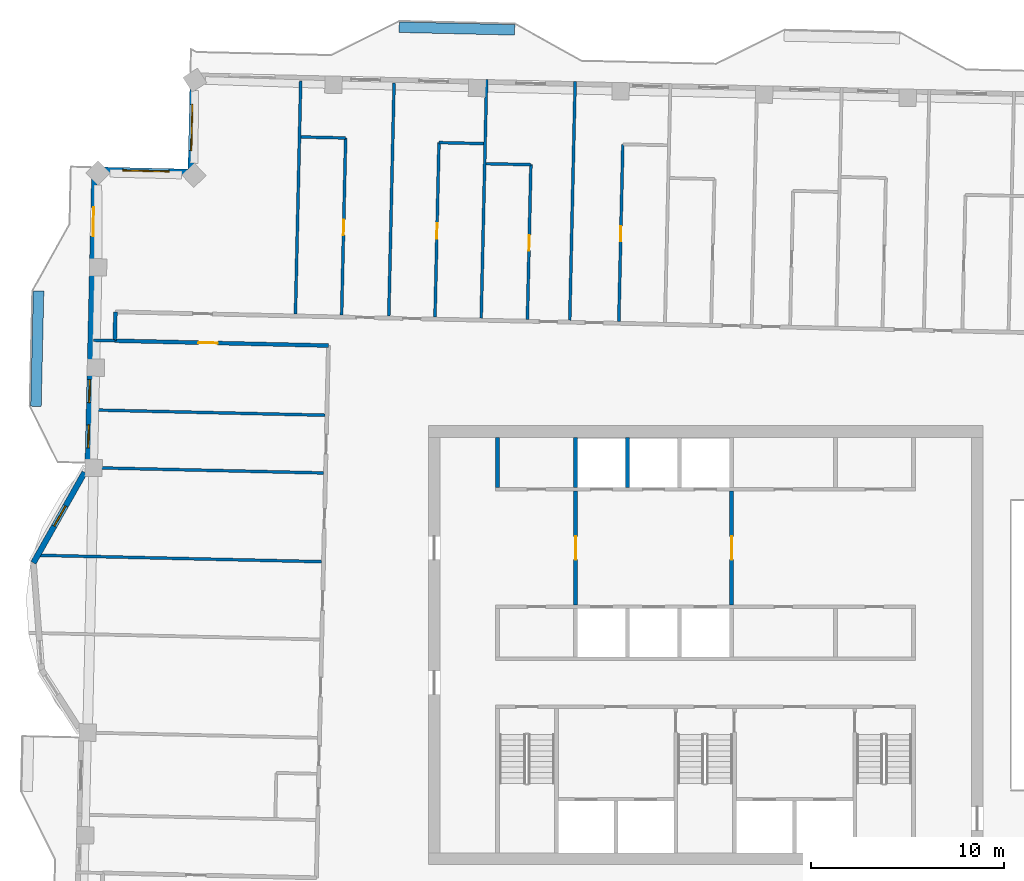
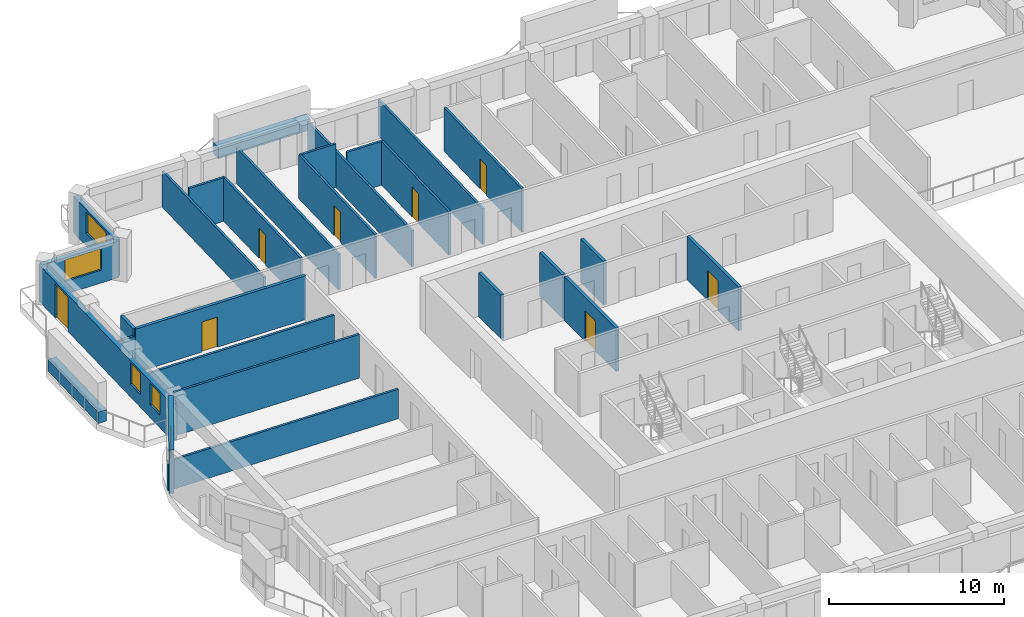
# One storey, part 8 of 15: 28 walls, 8 doors, 5 windows, 13 openings.
"""IFC4 building model written with IfcOpenShell, lengths in metres."""

from ifc_helpers import new_model, si_unit, direction, frame, frame_2d, origin, place, context, subcontext, project, spatial, rectangle, extrude, material, layer, layer_set, type_object, element, fill, save


model = new_model("IFC4")

# Units and contexts
model_context = context("Model", 3, precision=1e-05, world=origin(), true_north=direction((0.0, 1.0)))
body_context = subcontext(model_context, "Body", "Model", "MODEL_VIEW")
ifc_project = project(units=[si_unit("LENGTHUNIT", "METRE"), si_unit("AREAUNIT", "SQUARE_METRE"), si_unit("VOLUMEUNIT", "CUBIC_METRE"), si_unit("PLANEANGLEUNIT", "RADIAN"), si_unit("MASSUNIT", "GRAM", prefix="KILO")], contexts=[model_context])

# Site, building, storey
site_placement = place(None, origin())
site = spatial("IfcSite", under=ifc_project, at=site_placement, CompositionType="ELEMENT")
building_placement = place(site_placement, origin())
building = spatial("IfcBuilding", under=site, at=building_placement, Name="Mangrove Gate Tower", CompositionType="ELEMENT")
storey_placement = place(building_placement, frame((0.0, 0.0, 313.300048828125)))
storey = spatial("IfcBuildingStorey", under=building, at=storey_placement, Name="L80", CompositionType="ELEMENT", Elevation=313.300048828125)

# Wall, opening, door
ifc_material_1 = material(Name="Concrete C32/40", Category="concrete")
ifc_layer_1 = layer(ifc_material_1, 0.199951171875)
ifc_layer_set_1 = layer_set([ifc_layer_1], Name="Core lobby wall 200 C32/40")
wall_type_1 = type_object("IfcWallType", Name="Core lobby wall 200 C32/40", PredefinedType="STANDARD", material=ifc_layer_set_1)
wall_1_placement = place(storey_placement, frame((-6.75, 2.10009765625, 0.0), z_axis=(0.0, 0.0, 1.0), x_axis=(0.0, 1.0, 0.0)))
wall_1 = element("IfcWall", 1, at=wall_1_placement, inside=storey, type_object=wall_type_1, Name="WALL-L80-CORE-33", PredefinedType="STANDARD", context=body_context, shape_type="SweptSolid", body=[
    extrude(rectangle(XDim=5.89990234375, YDim=0.199951171875, at=frame_2d((2.949951171875, 0.0))), origin(), (0.0, 0.0, 1.0), 3.050048828125),
])
opening_1_placement = place(wall_1_placement, frame((2.35009765625, 0.0, 0.0)))
opening_1 = element("IfcOpeningElement", 2, at=opening_1_placement, cuts=wall_1, Name="Opening FL12", PredefinedType="OPENING", context=body_context, shape_type="SweptSolid", body=[
    extrude(rectangle(XDim=1.199951171875, YDim=2.10009765625, at=frame_2d((0.60009765625, 1.050048828125))), frame((0.0, 0.10986328125, 0.0), z_axis=(0.0, -1.0, 0.0), x_axis=(1.0, 0.0, 0.0)), (0.0, 0.0, 1.0), 0.219970703125),
])
ifc_material_2 = material(Name="Fire-rated steel door set", Category="steel")
door_type_1 = type_object("IfcDoorType", Name="Lobby door FD60 1200x2100", OperationType="SINGLE_SWING_LEFT", PredefinedType="DOOR", material=ifc_material_2)
door_1_placement = place(opening_1_placement, origin())
door_1 = element("IfcDoor", 3, at=door_1_placement, inside=storey, type_object=door_type_1, Name="Lobby door lift lobby partition", OperationType="SINGLE_SWING_LEFT", OverallHeight=2.10009765625, OverallWidth=1.199951171875, PredefinedType="DOOR", context=body_context, shape_type="SweptSolid", body=[
    extrude(rectangle(XDim=1.199951171875, YDim=2.10009765625, at=frame_2d((0.60009765625, 1.050048828125))), frame((0.0, 0.02490234375, 0.0), z_axis=(0.0, -1.0, 0.0), x_axis=(1.0, 0.0, 0.0)), (0.0, 0.0, 1.0), 0.050048828125),
])
fill(opening_1, door_1)

wall_2_placement = place(storey_placement, frame((1.35009765625, 2.10009765625, 0.0), z_axis=(0.0, 0.0, 1.0), x_axis=(0.0, 1.0, 0.0)))
wall_2 = element("IfcWall", 4, at=wall_2_placement, inside=storey, type_object=wall_type_1, Name="WALL-L80-CORE-34", PredefinedType="STANDARD", context=body_context, shape_type="SweptSolid", body=[
    extrude(rectangle(XDim=5.89990234375, YDim=0.199951171875, at=frame_2d((2.949951171875, 0.0))), origin(), (0.0, 0.0, 1.0), 3.050048828125),
])
opening_2_placement = place(wall_2_placement, frame((2.35009765625, 0.0, 0.0)))
opening_2 = element("IfcOpeningElement", 5, at=opening_2_placement, cuts=wall_2, Name="Opening FL12", PredefinedType="OPENING", context=body_context, shape_type="SweptSolid", body=[
    extrude(rectangle(XDim=1.199951171875, YDim=2.10009765625, at=frame_2d((0.60009765625, 1.050048828125))), frame((0.0, 0.10986328125, 0.0), z_axis=(0.0, -1.0, 0.0), x_axis=(1.0, 0.0, 0.0)), (0.0, 0.0, 1.0), 0.219970703125),
])
door_2_placement = place(opening_2_placement, origin())
door_2 = element("IfcDoor", 6, at=door_2_placement, inside=storey, type_object=door_type_1, Name="Lobby door lift lobby partition", OperationType="SINGLE_SWING_LEFT", OverallHeight=2.10009765625, OverallWidth=1.199951171875, PredefinedType="DOOR", context=body_context, shape_type="SweptSolid", body=[
    extrude(rectangle(XDim=1.199951171875, YDim=2.10009765625, at=frame_2d((0.60009765625, 1.050048828125))), frame((0.0, 0.02490234375, 0.0), z_axis=(0.0, -1.0, 0.0), x_axis=(1.0, 0.0, 0.0)), (0.0, 0.0, 1.0), 0.050048828125),
])
fill(opening_2, door_2)

# Walls
ifc_material_3 = material(Name="Concrete C32/40", Category="concrete")
ifc_layer_2 = layer(ifc_material_3, 0.199951171875)
ifc_layer_set_2 = layer_set([ifc_layer_2], Name="Core room wall 200 C32/40")
wall_type_2 = type_object("IfcWallType", Name="Core room wall 200 C32/40", PredefinedType="STANDARD", material=ifc_layer_set_2)
wall_3_placement = place(storey_placement, frame((-10.800048828125, 8.199951171875, 0.0), z_axis=(0.0, 0.0, 1.0), x_axis=(0.0, 1.0, 0.0)))
element("IfcWall", 7, at=wall_3_placement, inside=storey, type_object=wall_type_2, Name="WALL-L80-CORE-26", PredefinedType="STANDARD", context=body_context, shape_type="SweptSolid", body=[
    extrude(rectangle(XDim=2.60009765625, YDim=0.199951171875, at=frame_2d((1.300048828125, 0.0))), origin(), (0.0, 0.0, 1.0), 3.050048828125),
])
ifc_material_4 = material(Name="Concrete C50/60", Category="concrete")
ifc_layer_3 = layer(ifc_material_4, 0.199951171875)
ifc_layer_set_3 = layer_set([ifc_layer_3], Name="Core shaft wall 200 C50/60")
wall_type_3 = type_object("IfcWallType", Name="Core shaft wall 200 C50/60", PredefinedType="SHEAR", material=ifc_layer_set_3)
for number, where, z_axis, x_axis, name in (
    (8, (-6.75, 8.199951171875, 0.0), (0.0, 0.0, 1.0), (0.0, 1.0, 0.0), "WALL-L80-CORE-27"),
    (9, (-4.050048828125, 8.199951171875, 0.0), (0.0, 0.0, 1.0), (0.0, 1.0, 0.0), "WALL-L80-CORE-28"),
):
    element("IfcWall", number, at=place(storey_placement, frame(where, z_axis=z_axis, x_axis=x_axis)), inside=storey, type_object=wall_type_3, Name=name, PredefinedType="SHEAR", context=body_context, shape_type="SweptSolid", body=[
        extrude(rectangle(XDim=2.60009765625, YDim=0.199951171875, at=frame_2d((1.300048828125, 0.0))), origin(), (0.0, 0.0, 1.0), 3.050048828125),
    ])

# Wall, opening, door
ifc_material_5 = material(Name="Gypsum board on steel stud, EI 60", Category="steel")
ifc_layer_4 = layer(ifc_material_5, 0.199951171875)
ifc_layer_set_4 = layer_set([ifc_layer_4], Name="Corridor wall EI 60")
wall_type_4 = type_object("IfcWallType", Name="Corridor wall EI 60", PredefinedType="PARTITIONING", material=ifc_layer_set_4)
wall_4_placement = place(storey_placement, frame((-30.68603515625, 15.81396484375, 0.0), z_axis=(0.0, 0.0, 1.0), x_axis=(0.999742346277, -0.022698921993, 0.0)))
wall_4 = element("IfcWall", 10, at=wall_4_placement, inside=storey, type_object=wall_type_4, Name="WALL-L80-053", PredefinedType="PARTITIONING", context=body_context, shape_type="SweptSolid", body=[
    extrude(rectangle(XDim=11.099853515625, YDim=0.199951171875, at=frame_2d((5.5498046875, 0.0))), origin(), (0.0, 0.0, 1.0), 3.050048828125),
])
opening_3_placement = place(wall_4_placement, frame((4.35009765625, 0.0, 0.0)))
opening_3 = element("IfcOpeningElement", 11, at=opening_3_placement, cuts=wall_4, Name="Opening AD", PredefinedType="OPENING", context=body_context, shape_type="SweptSolid", body=[
    extrude(rectangle(XDim=1.0, YDim=2.10009765625, at=frame_2d((0.5, 1.050048828125))), frame((0.0, 0.10986328125, 0.0), z_axis=(0.0, -1.0, 0.0), x_axis=(1.0, 0.0, 0.0)), (0.0, 0.0, 1.0), 0.219970703125),
])
ifc_material_6 = material(Name="Timber door leaf", Category="wood")
door_type_2 = type_object("IfcDoorType", Name="Amenity door 1000", OperationType="SINGLE_SWING_LEFT", PredefinedType="DOOR", material=ifc_material_6)
door_3_placement = place(opening_3_placement, origin())
door_3 = element("IfcDoor", 12, at=door_3_placement, inside=storey, type_object=door_type_2, Name="DOOR-L80-KIT-c5b", OperationType="SINGLE_SWING_LEFT", OverallHeight=2.10009765625, OverallWidth=1.0, PredefinedType="DOOR", context=body_context, shape_type="SweptSolid", body=[
    extrude(rectangle(XDim=1.0, YDim=2.10009765625, at=frame_2d((0.5, 1.050048828125))), frame((0.0, 0.02490234375, 0.0), z_axis=(0.0, -1.0, 0.0), x_axis=(1.0, 0.0, 0.0)), (0.0, 0.0, 1.0), 0.050048828125),
])
fill(opening_3, door_3)

# Wall
wall_5_placement = place(storey_placement, frame((-30.68603515625, 15.81396484375, 0.0), z_axis=(0.0, 0.0, 1.0), x_axis=(0.022632637625, 0.99974384905, 0.0)))
element("IfcWall", 13, at=wall_5_placement, inside=storey, type_object=wall_type_4, Name="WALL-L80-054", PredefinedType="PARTITIONING", context=body_context, shape_type="SweptSolid", body=[
    extrude(rectangle(XDim=1.49951171875, YDim=0.199951171875, at=frame_2d((0.749755859375, 0.0))), origin(), (0.0, 0.0, 1.0), 3.050048828125),
])

# Wall, opening, window
ifc_material_7 = material(Name="Limestone", Category="masonry")
ifc_layer_5 = layer(ifc_material_7, 0.0400390625, Name="Limestone cladding")
ifc_material_8 = material(Name="Ventilated air gap")
ifc_layer_6 = layer(ifc_material_8, 0.0400390625, Name="Ventilated cavity")
ifc_material_9 = material(Name="Mineral wool insulation")
ifc_layer_7 = layer(ifc_material_9, 0.06005859375, Name="Insulation")
ifc_material_10 = material(Name="Breather membrane")
ifc_layer_8 = layer(ifc_material_10, 0.001953125, Name="Breather membrane")
ifc_material_11 = material(Name="Concrete C20/25 blockwork", Category="masonry")
ifc_layer_9 = layer(ifc_material_11, 0.14990234375, Name="Blockwork backing wall")
ifc_material_12 = material(Name="Gypsum plaster")
ifc_layer_10 = layer(ifc_material_12, 0.008056640625, Name="Internal plaster")
ifc_layer_set_5 = layer_set([ifc_layer_5, ifc_layer_6, ifc_layer_7, ifc_layer_8, ifc_layer_9, ifc_layer_10], Name="External wall 300 limestone cladding")
wall_type_5 = type_object("IfcWallType", Name="External wall 300 limestone cladding", PredefinedType="SOLIDWALL", material=ifc_layer_set_5)
wall_6_placement = place(storey_placement, frame((-26.623046875, 29.574951171875, 0.0), z_axis=(0.0, 0.0, 1.0), x_axis=(-0.022606059803, -0.999744450377, 0.0)))
wall_6 = element("IfcWall", 14, at=wall_6_placement, inside=storey, type_object=wall_type_5, Name="WALL-L80-W6", PredefinedType="SOLIDWALL", context=body_context, shape_type="SweptSolid", body=[
    extrude(rectangle(XDim=5.000244140625, YDim=0.300048828125, at=frame_2d((2.5, 0.0))), origin(), (0.0, 0.0, 1.0), 2.550048828125),
])
opening_4_placement = place(wall_6_placement, frame((1.489990234375, 0.0, 0.89990234375)))
opening_4 = element("IfcOpeningElement", 15, at=opening_4_placement, cuts=wall_6, Name="Opening W2", PredefinedType="OPENING", context=body_context, shape_type="SweptSolid", body=[
    extrude(rectangle(XDim=2.39990234375, YDim=1.5, at=frame_2d((1.199951171875, 0.75))), frame((0.0, 0.159912109375, 0.0), z_axis=(0.0, -1.0, 0.0), x_axis=(1.0, 0.0, 0.0)), (0.0, 0.0, 1.0), 0.320068359375),
])
ifc_material_13 = material(Name="Aluminium frame with double-glazed low-e glass", Category="aluminium")
window_type_1 = type_object("IfcWindowType", Name="Corner room window 2400x1500", PartitioningType="DOUBLE_PANEL_VERTICAL", PredefinedType="WINDOW", material=ifc_material_13)
window_1_placement = place(opening_4_placement, origin())
window_1 = element("IfcWindow", 16, at=window_1_placement, inside=storey, type_object=window_type_1, Name="WIN-L80-W6-1", OverallHeight=1.5, OverallWidth=2.39990234375, PartitioningType="DOUBLE_PANEL_VERTICAL", PredefinedType="WINDOW", context=body_context, shape_type="SweptSolid", body=[
    extrude(rectangle(XDim=2.39990234375, YDim=1.5, at=frame_2d((1.199951171875, 0.75))), frame((0.0, 0.030029296875, 0.0), z_axis=(0.0, -1.0, 0.0), x_axis=(1.0, 0.0, 0.0)), (0.0, 0.0, 1.0), 0.06005859375),
])
fill(opening_4, window_1)

wall_7_placement = place(storey_placement, frame((-26.736083984375, 24.575927734375, 0.0), z_axis=(0.0, 0.0, 1.0), x_axis=(-0.999740017489, 0.022801259434, 0.0)))
wall_7 = element("IfcWall", 17, at=wall_7_placement, inside=storey, type_object=wall_type_5, Name="WALL-L80-N7", PredefinedType="SOLIDWALL", context=body_context, shape_type="SweptSolid", body=[
    extrude(rectangle(XDim=5.000244140625, YDim=0.300048828125, at=frame_2d((2.5, 0.0))), origin(), (0.0, 0.0, 1.0), 2.550048828125),
])
opening_5_placement = place(wall_7_placement, frame((1.12890625, 0.0, 0.89990234375)))
opening_5 = element("IfcOpeningElement", 18, at=opening_5_placement, cuts=wall_7, Name="Opening W2", PredefinedType="OPENING", context=body_context, shape_type="SweptSolid", body=[
    extrude(rectangle(XDim=2.39990234375, YDim=1.5, at=frame_2d((1.199951171875, 0.75))), frame((0.0, 0.159912109375, 0.0), z_axis=(0.0, -1.0, 0.0), x_axis=(1.0, 0.0, 0.0)), (0.0, 0.0, 1.0), 0.320068359375),
])
window_2_placement = place(opening_5_placement, origin())
window_2 = element("IfcWindow", 19, at=window_2_placement, inside=storey, type_object=window_type_1, Name="WIN-L80-N7-1", OverallHeight=1.5, OverallWidth=2.39990234375, PartitioningType="DOUBLE_PANEL_VERTICAL", PredefinedType="WINDOW", context=body_context, shape_type="SweptSolid", body=[
    extrude(rectangle(XDim=2.39990234375, YDim=1.5, at=frame_2d((1.199951171875, 0.75))), frame((0.0, 0.030029296875, 0.0), z_axis=(0.0, -1.0, 0.0), x_axis=(1.0, 0.0, 0.0)), (0.0, 0.0, 1.0), 0.06005859375),
])
fill(opening_5, window_2)

# Wall, openings, door, windows
wall_8_placement = place(storey_placement, frame((-31.735107421875, 24.68994140625, 0.0), z_axis=(0.0, 0.0, 1.0), x_axis=(-0.022694199758, -0.999742453484, 0.0)))
wall_8 = element("IfcWall", 20, at=wall_8_placement, inside=storey, type_object=wall_type_5, Name="WALL-L80-W8s1", PredefinedType="SOLIDWALL", context=body_context, shape_type="SweptSolid", body=[
    extrude(rectangle(XDim=15.900146484375, YDim=0.300048828125, at=frame_2d((7.9501953125, 0.0))), origin(), (0.0, 0.0, 1.0), 2.550048828125),
])
opening_6_placement = place(wall_8_placement, frame((1.952880859375, 0.0, 0.0)))
opening_6 = element("IfcOpeningElement", 21, at=opening_6_placement, cuts=wall_8, Name="Opening BD1", PredefinedType="OPENING", context=body_context, shape_type="SweptSolid", body=[
    extrude(rectangle(XDim=1.5, YDim=2.39990234375, at=frame_2d((0.75, 1.199951171875))), frame((0.0, 0.159912109375, 0.0), z_axis=(0.0, -1.0, 0.0), x_axis=(1.0, 0.0, 0.0)), (0.0, 0.0, 1.0), 0.320068359375),
])
opening_7_placement = place(wall_8_placement, frame((10.89599609375, 0.0, 0.89990234375)))
opening_7 = element("IfcOpeningElement", 22, at=opening_7_placement, cuts=wall_8, Name="Opening W1", PredefinedType="OPENING", context=body_context, shape_type="SweptSolid", body=[
    extrude(rectangle(XDim=1.199951171875, YDim=1.5, at=frame_2d((0.60009765625, 0.75))), frame((0.0, 0.159912109375, 0.0), z_axis=(0.0, -1.0, 0.0), x_axis=(1.0, 0.0, 0.0)), (0.0, 0.0, 1.0), 0.320068359375),
])
opening_8_placement = place(wall_8_placement, frame((13.25, 0.0, 0.89990234375)))
opening_8 = element("IfcOpeningElement", 23, at=opening_8_placement, cuts=wall_8, Name="Opening W1", PredefinedType="OPENING", context=body_context, shape_type="SweptSolid", body=[
    extrude(rectangle(XDim=1.199951171875, YDim=1.5, at=frame_2d((0.60009765625, 0.75))), frame((0.0, 0.159912109375, 0.0), z_axis=(0.0, -1.0, 0.0), x_axis=(1.0, 0.0, 0.0)), (0.0, 0.0, 1.0), 0.320068359375),
])
ifc_material_14 = material(Name="Aluminium frame with laminated clear glass", Category="aluminium")
door_type_3 = type_object("IfcDoorType", Name="Balcony sliding door 1500x2400", OperationType="SLIDING_TO_LEFT", PredefinedType="DOOR", material=ifc_material_14)
door_4_placement = place(opening_6_placement, origin())
door_4 = element("IfcDoor", 24, at=door_4_placement, inside=storey, type_object=door_type_3, Name="DOOR-L80-W8-1", OperationType="SLIDING_TO_LEFT", OverallHeight=2.39990234375, OverallWidth=1.5, PredefinedType="DOOR", context=body_context, shape_type="SweptSolid", body=[
    extrude(rectangle(XDim=1.5, YDim=2.39990234375, at=frame_2d((0.75, 1.199951171875))), frame((0.0, 0.02490234375, 0.0), z_axis=(0.0, -1.0, 0.0), x_axis=(1.0, 0.0, 0.0)), (0.0, 0.0, 1.0), 0.050048828125),
])
fill(opening_6, door_4)
ifc_material_15 = material(Name="Aluminium frame with double-glazed low-e glass", Category="aluminium")
window_type_2 = type_object("IfcWindowType", Name="Side lite 1200x1500", PartitioningType="SINGLE_PANEL", PredefinedType="WINDOW", material=ifc_material_15)
window_3_placement = place(opening_7_placement, origin())
window_3 = element("IfcWindow", 25, at=window_3_placement, inside=storey, type_object=window_type_2, Name="WIN-L80-W8-2", OverallHeight=1.5, OverallWidth=1.199951171875, PartitioningType="SINGLE_PANEL", PredefinedType="WINDOW", context=body_context, shape_type="SweptSolid", body=[
    extrude(rectangle(XDim=1.199951171875, YDim=1.5, at=frame_2d((0.60009765625, 0.75))), frame((0.0, 0.030029296875, 0.0), z_axis=(0.0, -1.0, 0.0), x_axis=(1.0, 0.0, 0.0)), (0.0, 0.0, 1.0), 0.06005859375),
])
fill(opening_7, window_3)
window_4_placement = place(opening_8_placement, origin())
window_4 = element("IfcWindow", 26, at=window_4_placement, inside=storey, type_object=window_type_2, Name="WIN-L80-W8-3", OverallHeight=1.5, OverallWidth=1.199951171875, PartitioningType="SINGLE_PANEL", PredefinedType="WINDOW", context=body_context, shape_type="SweptSolid", body=[
    extrude(rectangle(XDim=1.199951171875, YDim=1.5, at=frame_2d((0.60009765625, 0.75))), frame((0.0, 0.030029296875, 0.0), z_axis=(0.0, -1.0, 0.0), x_axis=(1.0, 0.0, 0.0)), (0.0, 0.0, 1.0), 0.06005859375),
])
fill(opening_8, window_4)

# Wall, opening, window
wall_9_placement = place(storey_placement, frame((-32.251953125, 8.97802734375, 0.0), z_axis=(0.0, 0.0, 1.0), x_axis=(-0.492554919955, -0.870281363025, 0.0)))
wall_9 = element("IfcWall", 27, at=wall_9_placement, inside=storey, type_object=wall_type_5, Name="WALL-L80-W9f1", PredefinedType="SOLIDWALL", context=body_context, shape_type="SweptSolid", body=[
    extrude(rectangle(XDim=5.398193359375, YDim=0.300048828125, at=frame_2d((2.69921875, 0.0))), origin(), (0.0, 0.0, 1.0), 3.050048828125),
])
opening_9_placement = place(wall_9_placement, frame((2.008056640625, 0.0, 0.89990234375)))
opening_9 = element("IfcOpeningElement", 28, at=opening_9_placement, cuts=wall_9, Name="Opening W1", PredefinedType="OPENING", context=body_context, shape_type="SweptSolid", body=[
    extrude(rectangle(XDim=1.199951171875, YDim=1.5, at=frame_2d((0.60009765625, 0.75))), frame((0.0, 0.159912109375, 0.0), z_axis=(0.0, -1.0, 0.0), x_axis=(1.0, 0.0, 0.0)), (0.0, 0.0, 1.0), 0.320068359375),
])
window_5_placement = place(opening_9_placement, origin())
window_5 = element("IfcWindow", 29, at=window_5_placement, inside=storey, type_object=window_type_2, Name="WIN-L80-W9f1", OverallHeight=1.5, OverallWidth=1.199951171875, PartitioningType="SINGLE_PANEL", PredefinedType="WINDOW", context=body_context, shape_type="SweptSolid", body=[
    extrude(rectangle(XDim=1.199951171875, YDim=1.5, at=frame_2d((0.60009765625, 0.75))), frame((0.0, 0.030029296875, 0.0), z_axis=(0.0, -1.0, 0.0), x_axis=(1.0, 0.0, 0.0)), (0.0, 0.0, 1.0), 0.06005859375),
])
fill(opening_9, window_5)

# Walls
ifc_material_16 = material(Name="Gypsum board on steel stud, EI 60", Category="steel")
ifc_layer_11 = layer(ifc_material_16, 0.14990234375)
ifc_layer_set_6 = layer_set([ifc_layer_11], Name="Party wall 150 EI 60")
wall_type_6 = type_object("IfcWallType", Name="Party wall 150 EI 60", PredefinedType="PARTITIONING", material=ifc_layer_set_6)
wall_10_placement = place(storey_placement, frame((-34.93408203125, 4.677001953125, 0.0), z_axis=(0.0, 0.0, 1.0), x_axis=(0.99974273422, -0.022681829163, 0.0)))
element("IfcWall", 30, at=wall_10_placement, inside=storey, type_object=wall_type_6, Name="WALL-L80-048", PredefinedType="PARTITIONING", context=body_context, shape_type="SweptSolid", body=[
    extrude(rectangle(XDim=14.993896484375, YDim=0.14990234375, at=frame_2d((7.4970703125, 0.0))), origin(), (0.0, 0.0, 1.0), 2.050048828125),
])
wall_11_placement = place(storey_placement, frame((-31.93603515625, 9.219970703125, 0.0), z_axis=(0.0, 0.0, 1.0), x_axis=(0.9997437175, -0.02263844782, 0.0)))
element("IfcWall", 31, at=wall_11_placement, inside=storey, type_object=wall_type_6, Name="WALL-L80-050", PredefinedType="PARTITIONING", context=body_context, shape_type="SweptSolid", body=[
    extrude(rectangle(XDim=12.10009765625, YDim=0.14990234375, at=frame_2d((6.050048828125, 0.0))), origin(), (0.0, 0.0, 1.0), 3.050048828125),
])
wall_12_placement = place(storey_placement, frame((-31.867919921875, 12.218994140625, 0.0), z_axis=(0.0, 0.0, 1.0), x_axis=(0.9997437175, -0.02263844782, 0.0)))
element("IfcWall", 32, at=wall_12_placement, inside=storey, type_object=wall_type_6, Name="WALL-L80-051", PredefinedType="PARTITIONING", context=body_context, shape_type="SweptSolid", body=[
    extrude(rectangle(XDim=12.10009765625, YDim=0.14990234375, at=frame_2d((6.050048828125, 0.0))), origin(), (0.0, 0.0, 1.0), 2.550048828125),
])
wall_13_placement = place(storey_placement, frame((-31.785888671875, 15.837890625, 0.0), z_axis=(0.0, 0.0, 1.0), x_axis=(0.999745701647, -0.022550654924, 0.0)))
element("IfcWall", 33, at=wall_13_placement, inside=storey, type_object=wall_type_6, Name="WALL-L80-052", PredefinedType="PARTITIONING", context=body_context, shape_type="SweptSolid", body=[
    extrude(rectangle(XDim=1.104248046875, YDim=0.14990234375, at=frame_2d((0.55224609375, 0.0))), origin(), (0.0, 0.0, 1.0), 2.550048828125),
])
wall_14_placement = place(storey_placement, frame((-21.302001953125, 17.200927734375, 0.0), z_axis=(0.0, 0.0, 1.0), x_axis=(0.022637991173, 0.99974372784, 0.0)))
element("IfcWall", 34, at=wall_14_placement, inside=storey, type_object=wall_type_6, Name="WALL-L80-059", PredefinedType="PARTITIONING", context=body_context, shape_type="SweptSolid", body=[
    extrude(rectangle(XDim=12.100341796875, YDim=0.14990234375, at=frame_2d((6.05029296875, 0.0))), origin(), (0.0, 0.0, 1.0), 2.5),
])

# Wall, opening, door
wall_15_placement = place(storey_placement, frame((-18.903076171875, 17.14697265625, 0.0), z_axis=(0.0, 0.0, 1.0), x_axis=(0.022717185456, 0.999741931443, 0.0)))
wall_15 = element("IfcWall", 35, at=wall_15_placement, inside=storey, type_object=wall_type_6, Name="WALL-L80-060", PredefinedType="PARTITIONING", context=body_context, shape_type="SweptSolid", body=[
    extrude(rectangle(XDim=9.199462890625, YDim=0.14990234375, at=frame_2d((4.599609375, 0.0))), origin(), (0.0, 0.0, 1.0), 3.050048828125),
])
opening_10_placement = place(wall_15_placement, frame((4.14990234375, 0.0, 0.0)))
opening_10 = element("IfcOpeningElement", 36, at=opening_10_placement, cuts=wall_15, Name="Opening ED", PredefinedType="OPENING", context=body_context, shape_type="SweptSolid", body=[
    extrude(rectangle(XDim=0.800048828125, YDim=2.10009765625, at=frame_2d((0.39990234375, 1.050048828125))), frame((0.0, 0.0849609375, 0.0), z_axis=(0.0, -1.0, 0.0), x_axis=(1.0, 0.0, 0.0)), (0.0, 0.0, 1.0), 0.169921875),
])
ifc_material_17 = material(Name="Timber door leaf", Category="wood")
door_type_4 = type_object("IfcDoorType", Name="En-suite door 800", OperationType="SINGLE_SWING_LEFT", PredefinedType="DOOR", material=ifc_material_17)
door_5_placement = place(opening_10_placement, origin())
door_5 = element("IfcDoor", 37, at=door_5_placement, inside=storey, type_object=door_type_4, Name="DOOR-L80-ENS-c519", OperationType="SINGLE_SWING_LEFT", OverallHeight=2.10009765625, OverallWidth=0.800048828125, PredefinedType="DOOR", context=body_context, shape_type="SweptSolid", body=[
    extrude(rectangle(XDim=0.800048828125, YDim=2.10009765625, at=frame_2d((0.39990234375, 1.050048828125))), frame((0.0, 0.02490234375, 0.0), z_axis=(0.0, -1.0, 0.0), x_axis=(1.0, 0.0, 0.0)), (0.0, 0.0, 1.0), 0.050048828125),
])
fill(opening_10, door_5)

# Wall
wall_16_placement = place(storey_placement, frame((-16.4541015625, 17.091064453125, 0.0), z_axis=(0.0, 0.0, 1.0), x_axis=(0.02273928012, 0.99974142914, 0.0)))
element("IfcWall", 38, at=wall_16_placement, inside=storey, type_object=wall_type_6, Name="WALL-L80-061", PredefinedType="PARTITIONING", context=body_context, shape_type="SweptSolid", body=[
    extrude(rectangle(XDim=12.10009765625, YDim=0.14990234375, at=frame_2d((6.050048828125, 0.0))), origin(), (0.0, 0.0, 1.0), 2.5),
])

# Wall, opening, door
wall_17_placement = place(storey_placement, frame((-14.053955078125, 17.037109375, 0.0), z_axis=(0.0, 0.0, 1.0), x_axis=(0.022720182365, 0.999741863339, 0.0)))
wall_17 = element("IfcWall", 39, at=wall_17_placement, inside=storey, type_object=wall_type_6, Name="WALL-L80-062", PredefinedType="PARTITIONING", context=body_context, shape_type="SweptSolid", body=[
    extrude(rectangle(XDim=9.0693359375, YDim=0.14990234375, at=frame_2d((4.53466796875, 0.0))), origin(), (0.0, 0.0, 1.0), 3.050048828125),
])
opening_11_placement = place(wall_17_placement, frame((4.0849609375, 0.0, 0.0)))
opening_11 = element("IfcOpeningElement", 40, at=opening_11_placement, cuts=wall_17, Name="Opening ED", PredefinedType="OPENING", context=body_context, shape_type="SweptSolid", body=[
    extrude(rectangle(XDim=0.800048828125, YDim=2.10009765625, at=frame_2d((0.39990234375, 1.050048828125))), frame((0.0, 0.0849609375, 0.0), z_axis=(0.0, -1.0, 0.0), x_axis=(1.0, 0.0, 0.0)), (0.0, 0.0, 1.0), 0.169921875),
])
door_6_placement = place(opening_11_placement, origin())
door_6 = element("IfcDoor", 41, at=door_6_placement, inside=storey, type_object=door_type_4, Name="DOOR-L80-ENS-c518", OperationType="SINGLE_SWING_RIGHT", OverallHeight=2.10009765625, OverallWidth=0.800048828125, PredefinedType="DOOR", context=body_context, shape_type="SweptSolid", body=[
    extrude(rectangle(XDim=0.800048828125, YDim=2.10009765625, at=frame_2d((0.39990234375, 1.050048828125))), frame((0.0, 0.02490234375, 0.0), z_axis=(0.0, -1.0, 0.0), x_axis=(1.0, 0.0, 0.0)), (0.0, 0.0, 1.0), 0.050048828125),
])
fill(opening_11, door_6)

# Wall
wall_18_placement = place(storey_placement, frame((-11.655029296875, 16.98193359375, 0.0), z_axis=(0.0, 0.0, 1.0), x_axis=(0.022740189192, 0.999741408463, 0.0)))
element("IfcWall", 42, at=wall_18_placement, inside=storey, type_object=wall_type_6, Name="WALL-L80-063", PredefinedType="PARTITIONING", context=body_context, shape_type="SweptSolid", body=[
    extrude(rectangle(XDim=12.400146484375, YDim=0.14990234375, at=frame_2d((6.2001953125, 0.0))), origin(), (0.0, 0.0, 1.0), 2.5),
])

# Wall, opening, door
wall_19_placement = place(storey_placement, frame((-9.2548828125, 16.927978515625, 0.0), z_axis=(0.0, 0.0, 1.0), x_axis=(0.022650271266, 0.999743449697, 0.0)))
wall_19 = element("IfcWall", 43, at=wall_19_placement, inside=storey, type_object=wall_type_6, Name="WALL-L80-064", PredefinedType="PARTITIONING", context=body_context, shape_type="SweptSolid", body=[
    extrude(rectangle(XDim=8.030029296875, YDim=0.14990234375, at=frame_2d((4.01513671875, 0.0))), origin(), (0.0, 0.0, 1.0), 3.050048828125),
])
opening_12_placement = place(wall_19_placement, frame((3.56494140625, 0.0, 0.0)))
opening_12 = element("IfcOpeningElement", 44, at=opening_12_placement, cuts=wall_19, Name="Opening ED", PredefinedType="OPENING", context=body_context, shape_type="SweptSolid", body=[
    extrude(rectangle(XDim=0.800048828125, YDim=2.10009765625, at=frame_2d((0.39990234375, 1.050048828125))), frame((0.0, 0.0849609375, 0.0), z_axis=(0.0, -1.0, 0.0), x_axis=(1.0, 0.0, 0.0)), (0.0, 0.0, 1.0), 0.169921875),
])
door_7_placement = place(opening_12_placement, origin())
door_7 = element("IfcDoor", 45, at=door_7_placement, inside=storey, type_object=door_type_4, Name="DOOR-L80-ENS-c517", OperationType="SINGLE_SWING_LEFT", OverallHeight=2.10009765625, OverallWidth=0.800048828125, PredefinedType="DOOR", context=body_context, shape_type="SweptSolid", body=[
    extrude(rectangle(XDim=0.800048828125, YDim=2.10009765625, at=frame_2d((0.39990234375, 1.050048828125))), frame((0.0, 0.02490234375, 0.0), z_axis=(0.0, -1.0, 0.0), x_axis=(1.0, 0.0, 0.0)), (0.0, 0.0, 1.0), 0.050048828125),
])
fill(opening_12, door_7)

# Wall
wall_20_placement = place(storey_placement, frame((-7.055908203125, 16.8779296875, 0.0), z_axis=(0.0, 0.0, 1.0), x_axis=(0.022661475803, 0.999743195783, 0.0)))
element("IfcWall", 46, at=wall_20_placement, inside=storey, type_object=wall_type_6, Name="WALL-L80-065", PredefinedType="PARTITIONING", context=body_context, shape_type="SweptSolid", body=[
    extrude(rectangle(XDim=12.400146484375, YDim=0.14990234375, at=frame_2d((6.2001953125, 0.0))), origin(), (0.0, 0.0, 1.0), 2.5),
])

# Wall, opening, door
wall_21_placement = place(storey_placement, frame((-4.507080078125, 16.820068359375, 0.0), z_axis=(0.0, 0.0, 1.0), x_axis=(0.022717185456, 0.999741931443, 0.0)))
wall_21 = element("IfcWall", 47, at=wall_21_placement, inside=storey, type_object=wall_type_6, Name="WALL-L80-066", PredefinedType="PARTITIONING", context=body_context, shape_type="SweptSolid", body=[
    extrude(rectangle(XDim=9.199462890625, YDim=0.14990234375, at=frame_2d((4.599609375, 0.0))), origin(), (0.0, 0.0, 1.0), 3.050048828125),
])
opening_13_placement = place(wall_21_placement, frame((4.14990234375, 0.0, 0.0)))
opening_13 = element("IfcOpeningElement", 48, at=opening_13_placement, cuts=wall_21, Name="Opening ED", PredefinedType="OPENING", context=body_context, shape_type="SweptSolid", body=[
    extrude(rectangle(XDim=0.800048828125, YDim=2.10009765625, at=frame_2d((0.39990234375, 1.050048828125))), frame((0.0, 0.0849609375, 0.0), z_axis=(0.0, -1.0, 0.0), x_axis=(1.0, 0.0, 0.0)), (0.0, 0.0, 1.0), 0.169921875),
])
door_8_placement = place(opening_13_placement, origin())
door_8 = element("IfcDoor", 49, at=door_8_placement, inside=storey, type_object=door_type_4, Name="DOOR-L80-ENS-c416", OperationType="SINGLE_SWING_RIGHT", OverallHeight=2.10009765625, OverallWidth=0.800048828125, PredefinedType="DOOR", context=body_context, shape_type="SweptSolid", body=[
    extrude(rectangle(XDim=0.800048828125, YDim=2.10009765625, at=frame_2d((0.39990234375, 1.050048828125))), frame((0.0, 0.02490234375, 0.0), z_axis=(0.0, -1.0, 0.0), x_axis=(1.0, 0.0, 0.0)), (0.0, 0.0, 1.0), 0.050048828125),
])
fill(opening_13, door_8)

# Walls
wall_22_placement = place(storey_placement, frame((-11.39794921875, 25.008056640625, 0.0), z_axis=(0.0, 0.0, 1.0), x_axis=(0.999749954681, -0.022361308448, 0.0)))
element("IfcWall", 50, at=wall_22_placement, inside=storey, type_object=wall_type_6, Name="WALL-L80-082", PredefinedType="PARTITIONING", context=body_context, shape_type="SweptSolid", body=[
    extrude(rectangle(XDim=2.325439453125, YDim=0.14990234375, at=frame_2d((1.16259765625, 0.0))), origin(), (0.0, 0.0, 1.0), 3.050048828125),
])
wall_23_placement = place(storey_placement, frame((-13.847900390625, 26.10400390625, 0.0), z_axis=(0.0, 0.0, 1.0), x_axis=(0.999740260747, -0.02279059109, 0.0)))
element("IfcWall", 51, at=wall_23_placement, inside=storey, type_object=wall_type_6, Name="WALL-L80-083", PredefinedType="PARTITIONING", context=body_context, shape_type="SweptSolid", body=[
    extrude(rectangle(XDim=2.324462890625, YDim=0.14990234375, at=frame_2d((1.162109375, 0.0))), origin(), (0.0, 0.0, 1.0), 3.050048828125),
])
wall_24_placement = place(storey_placement, frame((-21.01904296875, 26.39697265625, 0.0), z_axis=(0.0, 0.0, 1.0), x_axis=(0.999740478815, -0.022781023197, 0.0)))
element("IfcWall", 52, at=wall_24_placement, inside=storey, type_object=wall_type_6, Name="WALL-L80-084", PredefinedType="PARTITIONING", context=body_context, shape_type="SweptSolid", body=[
    extrude(rectangle(XDim=2.325439453125, YDim=0.14990234375, at=frame_2d((1.16259765625, 0.0))), origin(), (0.0, 0.0, 1.0), 3.050048828125),
])
ifc_material_18 = material(Name="Concrete C32/40", Category="concrete")
ifc_layer_12 = layer(ifc_material_18, 0.199951171875, Name="Planter trough wall")
ifc_material_19 = material(Name="Bituminous waterproofing membrane")
ifc_layer_13 = layer(ifc_material_19, 0.0048828125, Name="Waterproofing")
ifc_material_20 = material(Name="Drainage board and gravel")
ifc_layer_14 = layer(ifc_material_20, 0.044921875, Name="Drainage layer")
ifc_material_21 = material(Name="Planting soil")
ifc_layer_15 = layer(ifc_material_21, 0.300048828125, Name="Growing medium")
ifc_layer_set_7 = layer_set([ifc_layer_12, ifc_layer_13, ifc_layer_14, ifc_layer_15], Name="Planter wall 550 C32/40")
wall_type_7 = type_object("IfcWallType", Name="Planter wall 550 C32/40", PredefinedType="USERDEFINED", material=ifc_layer_set_7)
wall_25_placement = place(storey_placement, frame((-15.9130859375, 32.097900390625, 0.0), z_axis=(0.0, 0.0, 1.0), x_axis=(0.999739477659, -0.022824916448, 0.0)))
element("IfcWall", 53, at=wall_25_placement, inside=storey, type_object=wall_type_7, Name="PLANTER L80 N1.1", ObjectType="PLANTER", PredefinedType="USERDEFINED", context=body_context, shape_type="SweptSolid", body=[
    extrude(rectangle(XDim=6.00048828125, YDim=0.550048828125, at=frame_2d((3.000244140625, 0.0))), origin(), (0.0, 0.0, 1.0), 0.800048828125),
])
wall_26_placement = place(storey_placement, frame((-34.780029296875, 12.406005859375, 0.0), z_axis=(0.0, 0.0, 1.0), x_axis=(0.022828630714, 0.999739392852, 0.0)))
element("IfcWall", 54, at=wall_26_placement, inside=storey, type_object=wall_type_7, Name="PLANTER L80 W0.1", ObjectType="PLANTER", PredefinedType="USERDEFINED", context=body_context, shape_type="SweptSolid", body=[
    extrude(rectangle(XDim=5.99951171875, YDim=0.550048828125, at=frame_2d((2.999755859375, 0.0))), origin(), (0.0, 0.0, 1.0), 0.800048828125),
])

save(model, "model.ifc")
